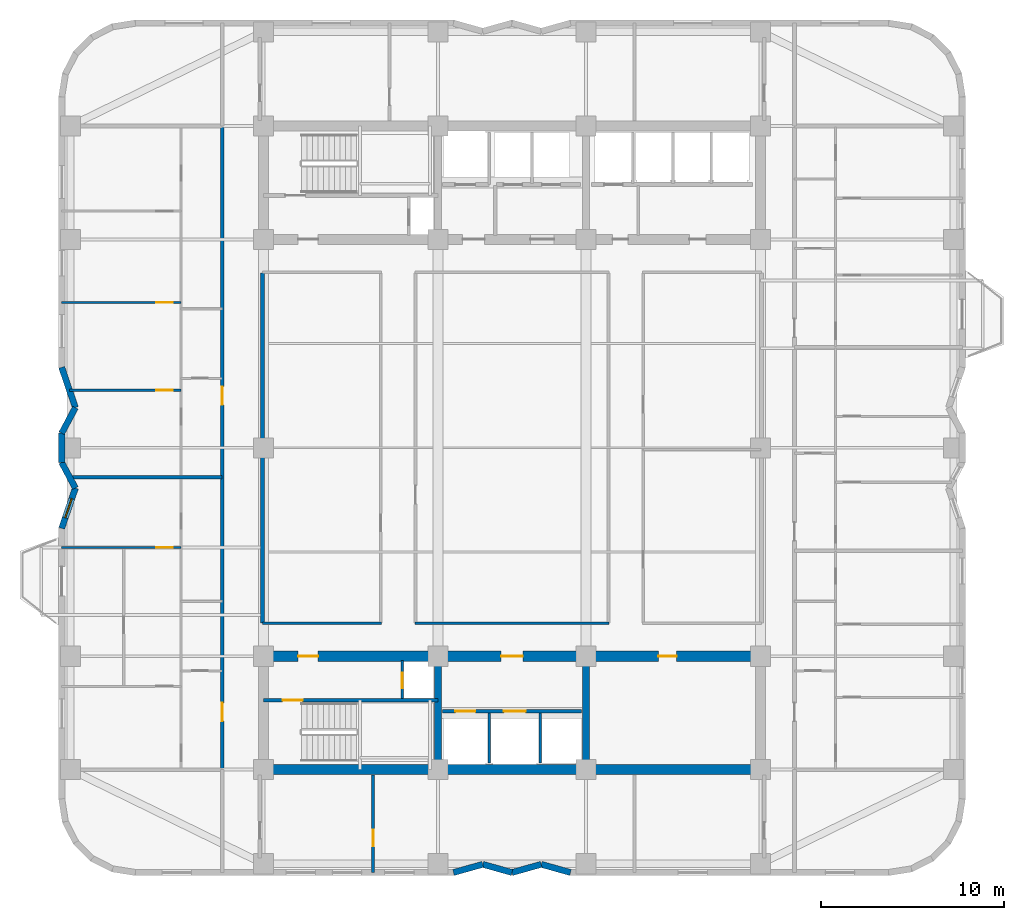
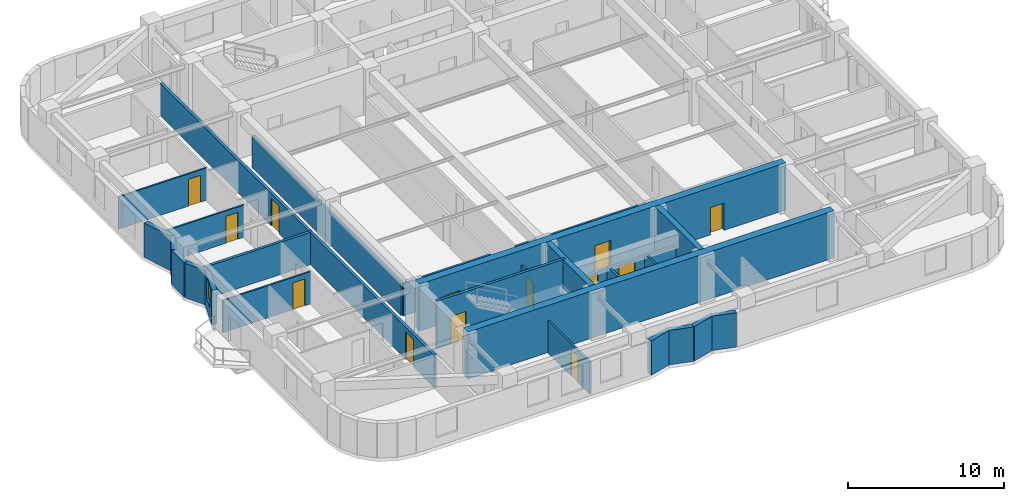
# One storey, part 3 of 9: 27 walls, 13 doors, 1 window, 14 openings.
"""IFC4 building model written with IfcOpenShell, lengths in metres."""

from ifc_helpers import new_model, si_unit, direction, frame, frame_2d, origin, place, context, subcontext, project, spatial, rectangle, extrude, material, layer, layer_set, type_object, element, fill, save


model = new_model("IFC4")

# Units and contexts
model_context = context("Model", 3, precision=1e-05, world=origin(), true_north=direction((0.0, 1.0)))
body_context = subcontext(model_context, "Body", "Model", "MODEL_VIEW")
ifc_project = project(units=[si_unit("LENGTHUNIT", "METRE"), si_unit("AREAUNIT", "SQUARE_METRE"), si_unit("VOLUMEUNIT", "CUBIC_METRE"), si_unit("PLANEANGLEUNIT", "RADIAN"), si_unit("MASSUNIT", "GRAM", prefix="KILO")], contexts=[model_context])

# Site, building, storey
site_placement = place(None, origin())
site = spatial("IfcSite", under=ifc_project, at=site_placement, CompositionType="ELEMENT")
building_placement = place(site_placement, origin())
building = spatial("IfcBuilding", under=site, at=building_placement, Name="Svetorya Sky Lyceum", CompositionType="ELEMENT")
storey_placement = place(building_placement, frame((0.0, 0.0, 125.300048828125)))
storey = spatial("IfcBuildingStorey", under=building, at=storey_placement, Name="L31", CompositionType="ELEMENT", Elevation=125.300048828125)

# Walls
ifc_material_1 = material(Name="Concrete C40/50", Category="concrete")
ifc_layer_1 = layer(ifc_material_1, 0.39990234375)
ifc_layer_set_1 = layer_set([ifc_layer_1], Name="Concrete C40/50")
wall_type_1 = type_object("IfcWallType", Name="WL-CORE-400", PredefinedType="SHEAR", material=ifc_layer_set_1)
for number, where, z_axis, x_axis, name in (
    (1, (35.14990234375, 10.875, 0.0), (0.0, 0.0, 1.0), (0.0, 1.0, 0.0), "L31 SC Internal Shear Web WEB1"),
    (2, (43.25, 10.875, 0.0), (0.0, 0.0, 1.0), (0.0, 1.0, 0.0), "L31 SC Internal Shear Web WEB2"),
):
    element("IfcWall", number, at=place(storey_placement, frame(where, z_axis=z_axis, x_axis=x_axis)), inside=storey, type_object=wall_type_1, Name=name, PredefinedType="SHEAR", context=body_context, shape_type="SweptSolid", body=[
        extrude(rectangle(XDim=5.64990234375, YDim=0.39990234375, at=frame_2d((2.824951171875, 0.0))), origin(), (0.0, 0.0, 1.0), 3.699951171875),
    ])
ifc_material_2 = material(Name="Concrete C60/75", Category="concrete")
ifc_layer_2 = layer(ifc_material_2, 0.550048828125)
ifc_layer_set_2 = layer_set([ifc_layer_2], Name="Concrete C60/75")
wall_type_2 = type_object("IfcWallType", Name="WL-CORE-550", PredefinedType="SHEAR", material=ifc_layer_set_2)
wall_1_placement = place(storey_placement, frame((52.800048828125, 10.60009765625, 0.0), z_axis=(0.0, 0.0, 1.0), x_axis=(-1.0, 0.0, 0.0)))
element("IfcWall", 3, at=wall_1_placement, inside=storey, type_object=wall_type_2, Name="L31 SC Outer Core Shear Wall", PredefinedType="SHEAR", context=body_context, shape_type="SweptSolid", body=[
    extrude(rectangle(XDim=27.199951171875, YDim=0.550048828125, at=frame_2d((13.60009765625, 0.0))), origin(), (0.0, 0.0, 1.0), 3.699951171875),
])

# Wall, openings, doors
wall_2_placement = place(storey_placement, frame((25.60009765625, 16.800048828125, 0.0), z_axis=(0.0, 0.0, 1.0), x_axis=(1.0, 0.0, 0.0)))
wall_2 = element("IfcWall", 4, at=wall_2_placement, inside=storey, type_object=wall_type_2, Name="L31 SC Inner Core Shear Wall", PredefinedType="SHEAR", context=body_context, shape_type="SweptSolid", body=[
    extrude(rectangle(XDim=27.199951171875, YDim=0.550048828125, at=frame_2d((13.60009765625, 0.0))), origin(), (0.0, 0.0, 1.0), 3.699951171875),
])
opening_1_placement = place(wall_2_placement, frame((1.89990234375, 0.0, 0.0)))
opening_1 = element("IfcOpeningElement", 5, at=opening_1_placement, cuts=wall_2, Name="Opening D-ST1", PredefinedType="OPENING", context=body_context, shape_type="SweptSolid", body=[
    extrude(rectangle(XDim=1.10009765625, YDim=2.14990234375, at=frame_2d((0.550048828125, 1.074951171875))), frame((0.0, 0.284912109375, 0.0), z_axis=(0.0, -1.0, 0.0), x_axis=(1.0, 0.0, 0.0)), (0.0, 0.0, 1.0), 0.570068359375),
])
opening_2_placement = place(wall_2_placement, frame((13.0, 0.0, 0.0)))
opening_2 = element("IfcOpeningElement", 6, at=opening_2_placement, cuts=wall_2, Name="Opening D-FL1", PredefinedType="OPENING", context=body_context, shape_type="SweptSolid", body=[
    extrude(rectangle(XDim=1.199951171875, YDim=2.14990234375, at=frame_2d((0.60009765625, 1.074951171875))), frame((0.0, 0.284912109375, 0.0), z_axis=(0.0, -1.0, 0.0), x_axis=(1.0, 0.0, 0.0)), (0.0, 0.0, 1.0), 0.570068359375),
])
opening_3_placement = place(wall_2_placement, frame((21.60009765625, 0.0, 0.0)))
opening_3 = element("IfcOpeningElement", 7, at=opening_3_placement, cuts=wall_2, Name="Opening D-RM2", PredefinedType="OPENING", context=body_context, shape_type="SweptSolid", body=[
    extrude(rectangle(XDim=1.0, YDim=2.14990234375, at=frame_2d((0.5, 1.074951171875))), frame((0.0, 0.284912109375, 0.0), z_axis=(0.0, -1.0, 0.0), x_axis=(1.0, 0.0, 0.0)), (0.0, 0.0, 1.0), 0.570068359375),
])
ifc_material_3 = material(Name="Powder-coated insulated galvanized stair fire door")
door_type_1 = type_object("IfcDoorType", Name="DR-FIRE-1100", OperationType="SINGLE_SWING_LEFT", PredefinedType="DOOR", material=ifc_material_3)
door_1_placement = place(opening_1_placement, origin())
door_1 = element("IfcDoor", 8, at=door_1_placement, inside=storey, type_object=door_type_1, Name="L31 South Stair Airlock Door", OperationType="SINGLE_SWING_RIGHT", OverallHeight=2.14990234375, OverallWidth=1.10009765625, PredefinedType="DOOR", context=body_context, shape_type="SweptSolid", body=[
    extrude(rectangle(XDim=1.10009765625, YDim=2.14990234375, at=frame_2d((0.550048828125, 1.074951171875))), frame((0.0, 0.02490234375, 0.0), z_axis=(0.0, -1.0, 0.0), x_axis=(1.0, 0.0, 0.0)), (0.0, 0.0, 1.0), 0.050048828125),
])
fill(opening_1, door_1)
ifc_material_4 = material(Name="Powder-coated insulated galvanized fire door")
door_type_2 = type_object("IfcDoorType", Name="DR-FIRE-1200", OperationType="SINGLE_SWING_LEFT", PredefinedType="DOOR", material=ifc_material_4)
door_2_placement = place(opening_2_placement, origin())
door_2 = element("IfcDoor", 9, at=door_2_placement, inside=storey, type_object=door_type_2, Name="L31 South Firefighting Lift Lobby Door", OperationType="SINGLE_SWING_LEFT", OverallHeight=2.14990234375, OverallWidth=1.199951171875, PredefinedType="DOOR", context=body_context, shape_type="SweptSolid", body=[
    extrude(rectangle(XDim=1.199951171875, YDim=2.14990234375, at=frame_2d((0.60009765625, 1.074951171875))), frame((0.0, 0.02490234375, 0.0), z_axis=(0.0, -1.0, 0.0), x_axis=(1.0, 0.0, 0.0)), (0.0, 0.0, 1.0), 0.050048828125),
])
fill(opening_2, door_2)
ifc_material_5 = material(Name="Solid-core oak acoustic room door")
door_type_3 = type_object("IfcDoorType", Name="DR-INT-1000", OperationType="SINGLE_SWING_LEFT", PredefinedType="DOOR", material=ifc_material_5)
door_3_placement = place(opening_3_placement, origin())
door_3 = element("IfcDoor", 10, at=door_3_placement, inside=storey, type_object=door_type_3, Name="L31 Trunk Store Door", OperationType="SINGLE_SWING_LEFT", OverallHeight=2.14990234375, OverallWidth=1.0, PredefinedType="DOOR", context=body_context, shape_type="SweptSolid", body=[
    extrude(rectangle(XDim=1.0, YDim=2.14990234375, at=frame_2d((0.5, 1.074951171875))), frame((0.0, 0.02490234375, 0.0), z_axis=(0.0, -1.0, 0.0), x_axis=(1.0, 0.0, 0.0)), (0.0, 0.0, 1.0), 0.050048828125),
])
fill(opening_3, door_3)

# Walls
ifc_material_6 = material(Name="Putilovo limestone rainscreen on autoclaved cellular masonry", Category="masonry")
ifc_layer_3 = layer(ifc_material_6, 0.340087890625)
ifc_layer_set_3 = layer_set([ifc_layer_3], Name="Putilovo limestone rainscreen on autoclaved cellular masonry")
wall_type_3 = type_object("IfcWallType", Name="WL-EXT-340", PredefinedType="SOLIDWALL", material=ifc_layer_set_3)
wall_3_placement = place(storey_placement, frame((36.0, 4.969970703125, 0.0), z_axis=(0.0, 0.0, 1.0), x_axis=(0.962662902433, 0.270703040766, 0.0)))
element("IfcWall", 11, at=wall_3_placement, inside=storey, type_object=wall_type_3, Name="L31 Limestone Exterior Wall 7M", PredefinedType="SOLIDWALL", context=body_context, shape_type="SweptSolid", body=[
    extrude(rectangle(XDim=1.662109375, YDim=0.340087890625, at=frame_2d((0.8310546875, 0.0))), origin(), (0.0, 0.0, 1.0), 2.699951171875),
])
wall_4_placement = place(storey_placement, frame((37.60009765625, 5.419921875, 0.0), z_axis=(0.0, 0.0, 1.0), x_axis=(0.962652136636, -0.270741322725, 0.0)))
element("IfcWall", 12, at=wall_4_placement, inside=storey, type_object=wall_type_3, Name="L31 Limestone Exterior Wall 8M", PredefinedType="SOLIDWALL", context=body_context, shape_type="SweptSolid", body=[
    extrude(rectangle(XDim=1.661865234375, YDim=0.340087890625, at=frame_2d((0.8310546875, 0.0))), origin(), (0.0, 0.0, 1.0), 2.699951171875),
])
wall_5_placement = place(storey_placement, frame((39.199951171875, 4.969970703125, 0.0), z_axis=(0.0, 0.0, 1.0), x_axis=(0.962662902433, 0.270703040766, 0.0)))
element("IfcWall", 13, at=wall_5_placement, inside=storey, type_object=wall_type_3, Name="L31 Limestone Exterior Wall 9M", PredefinedType="SOLIDWALL", context=body_context, shape_type="SweptSolid", body=[
    extrude(rectangle(XDim=1.662109375, YDim=0.340087890625, at=frame_2d((0.8310546875, 0.0))), origin(), (0.0, 0.0, 1.0), 2.699951171875),
])
wall_6_placement = place(storey_placement, frame((40.800048828125, 5.419921875, 0.0), z_axis=(0.0, 0.0, 1.0), x_axis=(0.962652136636, -0.270741322725, 0.0)))
element("IfcWall", 14, at=wall_6_placement, inside=storey, type_object=wall_type_3, Name="L31 Limestone Exterior Wall 10M", PredefinedType="SOLIDWALL", context=body_context, shape_type="SweptSolid", body=[
    extrude(rectangle(XDim=1.661865234375, YDim=0.340087890625, at=frame_2d((0.8310546875, 0.0))), origin(), (0.0, 0.0, 1.0), 2.699951171875),
])
wall_7_placement = place(storey_placement, frame((14.570068359375, 32.60009765625, 0.0), z_axis=(0.0, 0.0, 1.0), x_axis=(0.32264826586, -0.946518936175, 0.0)))
element("IfcWall", 15, at=wall_7_placement, inside=storey, type_object=wall_type_3, Name="L31 Limestone Exterior Wall 41M", PredefinedType="SOLIDWALL", context=body_context, shape_type="SweptSolid", body=[
    extrude(rectangle(XDim=2.324462890625, YDim=0.340087890625, at=frame_2d((1.162109375, 0.0))), origin(), (0.0, 0.0, 1.0), 2.699951171875),
])
wall_8_placement = place(storey_placement, frame((15.320068359375, 30.39990234375, 0.0), z_axis=(0.0, 0.0, 1.0), x_axis=(-0.472247007964, -0.881466257703, 0.0)))
element("IfcWall", 16, at=wall_8_placement, inside=storey, type_object=wall_type_3, Name="L31 Limestone Exterior Wall 42M", PredefinedType="SOLIDWALL", context=body_context, shape_type="SweptSolid", body=[
    extrude(rectangle(XDim=1.588134765625, YDim=0.340087890625, at=frame_2d((0.7939453125, 0.0))), origin(), (0.0, 0.0, 1.0), 2.699951171875),
])
wall_9_placement = place(storey_placement, frame((14.570068359375, 29.0, 0.0), z_axis=(0.0, 0.0, 1.0), x_axis=(0.0, -1.0, 0.0)))
element("IfcWall", 17, at=wall_9_placement, inside=storey, type_object=wall_type_3, Name="L31 Limestone Exterior Wall 43M", PredefinedType="SOLIDWALL", context=body_context, shape_type="SweptSolid", body=[
    extrude(rectangle(XDim=1.60009765625, YDim=0.340087890625, at=frame_2d((0.800048828125, 0.0))), origin(), (0.0, 0.0, 1.0), 2.699951171875),
])
wall_10_placement = place(storey_placement, frame((14.570068359375, 27.39990234375, 0.0), z_axis=(0.0, 0.0, 1.0), x_axis=(0.472247007964, -0.881466257703, 0.0)))
element("IfcWall", 18, at=wall_10_placement, inside=storey, type_object=wall_type_3, Name="L31 Limestone Exterior Wall 44M", PredefinedType="SOLIDWALL", context=body_context, shape_type="SweptSolid", body=[
    extrude(rectangle(XDim=1.588134765625, YDim=0.340087890625, at=frame_2d((0.7939453125, 0.0))), origin(), (0.0, 0.0, 1.0), 2.699951171875),
])

# Wall, opening, window
wall_11_placement = place(storey_placement, frame((15.320068359375, 26.0, 0.0), z_axis=(0.0, 0.0, 1.0), x_axis=(-0.322680343871, -0.946508000853, 0.0)))
wall_11 = element("IfcWall", 19, at=wall_11_placement, inside=storey, type_object=wall_type_3, Name="L31 Limestone Exterior Wall 45M", PredefinedType="SOLIDWALL", context=body_context, shape_type="SweptSolid", body=[
    extrude(rectangle(XDim=2.32421875, YDim=0.340087890625, at=frame_2d((1.162109375, 0.0))), origin(), (0.0, 0.0, 1.0), 2.699951171875),
])
opening_4_placement = place(wall_11_placement, frame((0.6123046875, 0.0, 0.889892578125)))
opening_4 = element("IfcOpeningElement", 20, at=opening_4_placement, cuts=wall_11, Name="Opening W-R3", PredefinedType="OPENING", context=body_context, shape_type="SweptSolid", body=[
    extrude(rectangle(XDim=1.10009765625, YDim=1.64990234375, at=frame_2d((0.550048828125, 0.824951171875))), frame((0.0, 0.179931640625, 0.0), z_axis=(0.0, -1.0, 0.0), x_axis=(1.0, 0.0, 0.0)), (0.0, 0.0, 1.0), 0.360107421875),
])
ifc_material_7 = material(Name="Thermally broken aluminium frame with triple low-E glazing", Category="aluminium")
window_type = type_object("IfcWindowType", Name="WN-RES-110", PartitioningType="SINGLE_PANEL", PredefinedType="WINDOW", material=ifc_material_7)
window_placement = place(opening_4_placement, origin())
window = element("IfcWindow", 21, at=window_placement, inside=storey, type_object=window_type, Name="L31 Facade Window W-R3.45M.1", OverallHeight=1.64990234375, OverallWidth=1.10009765625, PartitioningType="SINGLE_PANEL", PredefinedType="WINDOW", context=body_context, shape_type="SweptSolid", body=[
    extrude(rectangle(XDim=1.10009765625, YDim=1.64990234375, at=frame_2d((0.550048828125, 0.824951171875))), frame((0.0, 0.030029296875, 0.0), z_axis=(0.0, -1.0, 0.0), x_axis=(1.0, 0.0, 0.0)), (0.0, 0.0, 1.0), 0.06005859375),
])
fill(opening_4, window)

# Wall, opening, door
ifc_material_8 = material(Name="Twin-stud galvanized framing with double fireboard", Category="gypsum")
ifc_layer_4 = layer(ifc_material_8, 0.1201171875)
ifc_layer_set_4 = layer_set([ifc_layer_4], Name="Twin-stud galvanized framing with double fireboard")
wall_type_4 = type_object("IfcWallType", Name="WL-PART-120", PredefinedType="PARTITIONING", material=ifc_layer_set_4)
wall_12_placement = place(storey_placement, frame((14.570068359375, 22.75, 0.0), z_axis=(0.0, 0.0, 1.0), x_axis=(1.0, 0.0, 0.0)))
wall_12 = element("IfcWall", 22, at=wall_12_placement, inside=storey, type_object=wall_type_4, Name="L31 Interior Partition W1-WL2", PredefinedType="PARTITIONING", context=body_context, shape_type="SweptSolid", body=[
    extrude(rectangle(XDim=6.530029296875, YDim=0.1201171875, at=frame_2d((3.26513671875, 0.0))), origin(), (0.0, 0.0, 1.0), 2.530029296875),
])
opening_5_placement = place(wall_12_placement, frame((5.179931640625, 0.0, 0.0)))
opening_5 = element("IfcOpeningElement", 23, at=opening_5_placement, cuts=wall_12, Name="Opening D-RM1", PredefinedType="OPENING", context=body_context, shape_type="SweptSolid", body=[
    extrude(rectangle(XDim=0.89990234375, YDim=2.10009765625, at=frame_2d((0.449951171875, 1.050048828125))), frame((0.0, 0.070068359375, 0.0), z_axis=(0.0, -1.0, 0.0), x_axis=(1.0, 0.0, 0.0)), (0.0, 0.0, 1.0), 0.14013671875),
])
ifc_material_9 = material(Name="Lacquered birch veneer internal door")
door_type_4 = type_object("IfcDoorType", Name="DR-INT-900", OperationType="SINGLE_SWING_LEFT", PredefinedType="DOOR", material=ifc_material_9)
door_4_placement = place(opening_5_placement, origin())
door_4 = element("IfcDoor", 24, at=door_4_placement, inside=storey, type_object=door_type_4, Name="Apartment W1 Bedroom 2 Door", OperationType="SINGLE_SWING_RIGHT", OverallHeight=2.10009765625, OverallWidth=0.89990234375, PredefinedType="DOOR", context=body_context, shape_type="SweptSolid", body=[
    extrude(rectangle(XDim=0.89990234375, YDim=2.10009765625, at=frame_2d((0.449951171875, 1.050048828125))), frame((0.0, 0.02490234375, 0.0), z_axis=(0.0, -1.0, 0.0), x_axis=(1.0, 0.0, 0.0)), (0.0, 0.0, 1.0), 0.050048828125),
])
fill(opening_5, door_4)

wall_13_placement = place(storey_placement, frame((14.99609375, 31.35009765625, 0.0), z_axis=(0.0, 0.0, 1.0), x_axis=(1.0, 0.0, 0.0)))
wall_13 = element("IfcWall", 25, at=wall_13_placement, inside=storey, type_object=wall_type_4, Name="L31 Interior Partition W2-WL1", PredefinedType="PARTITIONING", context=body_context, shape_type="SweptSolid", body=[
    extrude(rectangle(XDim=6.10400390625, YDim=0.1201171875, at=frame_2d((3.052001953125, 0.0))), origin(), (0.0, 0.0, 1.0), 2.530029296875),
])
opening_6_placement = place(wall_13_placement, frame((4.75390625, 0.0, 0.0)))
opening_6 = element("IfcOpeningElement", 26, at=opening_6_placement, cuts=wall_13, Name="Opening D-RM1", PredefinedType="OPENING", context=body_context, shape_type="SweptSolid", body=[
    extrude(rectangle(XDim=0.89990234375, YDim=2.10009765625, at=frame_2d((0.449951171875, 1.050048828125))), frame((0.0, 0.070068359375, 0.0), z_axis=(0.0, -1.0, 0.0), x_axis=(1.0, 0.0, 0.0)), (0.0, 0.0, 1.0), 0.14013671875),
])
door_5_placement = place(opening_6_placement, origin())
door_5 = element("IfcDoor", 27, at=door_5_placement, inside=storey, type_object=door_type_4, Name="Apartment W2 Master Bedroom Door", OperationType="SINGLE_SWING_RIGHT", OverallHeight=2.10009765625, OverallWidth=0.89990234375, PredefinedType="DOOR", context=body_context, shape_type="SweptSolid", body=[
    extrude(rectangle(XDim=0.89990234375, YDim=2.10009765625, at=frame_2d((0.449951171875, 1.050048828125))), frame((0.0, 0.02490234375, 0.0), z_axis=(0.0, -1.0, 0.0), x_axis=(1.0, 0.0, 0.0)), (0.0, 0.0, 1.0), 0.050048828125),
])
fill(opening_6, door_5)

wall_14_placement = place(storey_placement, frame((14.570068359375, 36.14990234375, 0.0), z_axis=(0.0, 0.0, 1.0), x_axis=(1.0, 0.0, 0.0)))
wall_14 = element("IfcWall", 28, at=wall_14_placement, inside=storey, type_object=wall_type_4, Name="L31 Interior Partition W2-WL2", PredefinedType="PARTITIONING", context=body_context, shape_type="SweptSolid", body=[
    extrude(rectangle(XDim=6.530029296875, YDim=0.1201171875, at=frame_2d((3.26513671875, 0.0))), origin(), (0.0, 0.0, 1.0), 2.530029296875),
])
opening_7_placement = place(wall_14_placement, frame((5.179931640625, 0.0, 0.0)))
opening_7 = element("IfcOpeningElement", 29, at=opening_7_placement, cuts=wall_14, Name="Opening D-RM1", PredefinedType="OPENING", context=body_context, shape_type="SweptSolid", body=[
    extrude(rectangle(XDim=0.89990234375, YDim=2.10009765625, at=frame_2d((0.449951171875, 1.050048828125))), frame((0.0, 0.070068359375, 0.0), z_axis=(0.0, -1.0, 0.0), x_axis=(1.0, 0.0, 0.0)), (0.0, 0.0, 1.0), 0.14013671875),
])
door_6_placement = place(opening_7_placement, origin())
door_6 = element("IfcDoor", 30, at=door_6_placement, inside=storey, type_object=door_type_4, Name="Apartment W2 Bedroom 2 Door", OperationType="SINGLE_SWING_LEFT", OverallHeight=2.10009765625, OverallWidth=0.89990234375, PredefinedType="DOOR", context=body_context, shape_type="SweptSolid", body=[
    extrude(rectangle(XDim=0.89990234375, YDim=2.10009765625, at=frame_2d((0.449951171875, 1.050048828125))), frame((0.0, 0.02490234375, 0.0), z_axis=(0.0, -1.0, 0.0), x_axis=(1.0, 0.0, 0.0)), (0.0, 0.0, 1.0), 0.050048828125),
])
fill(opening_7, door_6)

ifc_material_10 = material(Name="Autoclaved cellular masonry blockwork with acoustic render", Category="masonry")
ifc_layer_5 = layer(ifc_material_10, 0.14990234375)
ifc_layer_set_5 = layer_set([ifc_layer_5], Name="Autoclaved cellular masonry blockwork with acoustic render")
wall_type_5 = type_object("IfcWallType", Name="WL-PART-150", PredefinedType="PARTITIONING", material=ifc_layer_set_5)
wall_15_placement = place(storey_placement, frame((33.199951171875, 14.5, 0.0), z_axis=(0.0, 0.0, 1.0), x_axis=(0.0, 1.0, 0.0)))
wall_15 = element("IfcWall", 31, at=wall_15_placement, inside=storey, type_object=wall_type_5, Name="L31 Interior Partition SC-AIRDIV", PredefinedType="PARTITIONING", context=body_context, shape_type="SweptSolid", body=[
    extrude(rectangle(XDim=2.080078125, YDim=0.14990234375, at=frame_2d((1.0400390625, 0.0))), origin(), (0.0, 0.0, 1.0), 2.530029296875),
])
opening_8_placement = place(wall_15_placement, frame((0.550048828125, 0.0, 0.0)))
opening_8 = element("IfcOpeningElement", 32, at=opening_8_placement, cuts=wall_15, Name="Opening D-SH1", PredefinedType="OPENING", context=body_context, shape_type="SweptSolid", body=[
    extrude(rectangle(XDim=0.85009765625, YDim=2.050048828125, at=frame_2d((0.425048828125, 1.02490234375))), frame((0.0, 0.0849609375, 0.0), z_axis=(0.0, -1.0, 0.0), x_axis=(1.0, 0.0, 0.0)), (0.0, 0.0, 1.0), 0.169921875),
])
ifc_material_11 = material(Name="Insulated galvanized riser inspection fire door")
door_type_5 = type_object("IfcDoorType", Name="DR-SHFT-850", OperationType="SINGLE_SWING_LEFT", PredefinedType="TRAPDOOR", material=ifc_material_11)
door_7_placement = place(opening_8_placement, origin())
door_7 = element("IfcDoor", 33, at=door_7_placement, inside=storey, type_object=door_type_5, Name="L31 South Riser Access Door", OperationType="SINGLE_SWING_RIGHT", OverallHeight=2.050048828125, OverallWidth=0.85009765625, PredefinedType="TRAPDOOR", context=body_context, shape_type="SweptSolid", body=[
    extrude(rectangle(XDim=0.85009765625, YDim=2.050048828125, at=frame_2d((0.425048828125, 1.02490234375))), frame((0.0, 0.02490234375, 0.0), z_axis=(0.0, -1.0, 0.0), x_axis=(1.0, 0.0, 0.0)), (0.0, 0.0, 1.0), 0.050048828125),
])
fill(opening_8, door_7)

# Walls
for number, where, z_axis, x_axis, name in (
    (34, (37.949951171875, 10.949951171875, 0.0), (0.0, 0.0, 1.0), (0.0, 1.0, 0.0), "L31 Interior Partition SC-SHD1"),
    (35, (40.75, 10.949951171875, 0.0), (0.0, 0.0, 1.0), (0.0, 1.0, 0.0), "L31 Interior Partition SC-SHD2"),
):
    element("IfcWall", number, at=place(storey_placement, frame(where, z_axis=z_axis, x_axis=x_axis)), inside=storey, type_object=wall_type_5, Name=name, PredefinedType="PARTITIONING", context=body_context, shape_type="SweptSolid", body=[
        extrude(rectangle(XDim=2.75, YDim=0.14990234375, at=frame_2d((1.375, 0.0))), origin(), (0.0, 0.0, 1.0), 2.530029296875),
    ])
wall_16_placement = place(storey_placement, frame((25.550048828125, 18.60009765625, 0.0), z_axis=(0.0, 0.0, 1.0), x_axis=(1.0, 0.0, 0.0)))
element("IfcWall", 36, at=wall_16_placement, inside=storey, type_object=wall_type_5, Name="L31 Interior Partition RL-CS-W", PredefinedType="PARTITIONING", context=body_context, shape_type="SweptSolid", body=[
    extrude(rectangle(XDim=6.5, YDim=0.14990234375, at=frame_2d((3.25, 0.0))), origin(), (0.0, 0.0, 1.0), 2.530029296875),
])
wall_17_placement = place(storey_placement, frame((33.89990234375, 18.60009765625, 0.0), z_axis=(0.0, 0.0, 1.0), x_axis=(1.0, 0.0, 0.0)))
element("IfcWall", 37, at=wall_17_placement, inside=storey, type_object=wall_type_5, Name="L31 Interior Partition RL-CS-M", PredefinedType="PARTITIONING", context=body_context, shape_type="SweptSolid", body=[
    extrude(rectangle(XDim=10.60009765625, YDim=0.14990234375, at=frame_2d((5.300048828125, 0.0))), origin(), (0.0, 0.0, 1.0), 2.530029296875),
])

# Wall, opening, door
wall_18_placement = place(storey_placement, frame((31.60009765625, 4.969970703125, 0.0), z_axis=(0.0, 0.0, 1.0), x_axis=(0.0, 1.0, 0.0)))
wall_18 = element("IfcWall", 38, at=wall_18_placement, inside=storey, type_object=wall_type_5, Name="L31 Interior Partition S-D1", PredefinedType="PARTITIONING", context=body_context, shape_type="SweptSolid", body=[
    extrude(rectangle(XDim=5.330078125, YDim=0.14990234375, at=frame_2d((2.6650390625, 0.0))), origin(), (0.0, 0.0, 1.0), 2.530029296875),
])
opening_9_placement = place(wall_18_placement, frame((1.449951171875, 0.0, 0.0)))
opening_9 = element("IfcOpeningElement", 39, at=opening_9_placement, cuts=wall_18, Name="Opening D-RM1", PredefinedType="OPENING", context=body_context, shape_type="SweptSolid", body=[
    extrude(rectangle(XDim=0.89990234375, YDim=2.10009765625, at=frame_2d((0.449951171875, 1.050048828125))), frame((0.0, 0.0849609375, 0.0), z_axis=(0.0, -1.0, 0.0), x_axis=(1.0, 0.0, 0.0)), (0.0, 0.0, 1.0), 0.169921875),
])
door_8_placement = place(opening_9_placement, origin())
door_8 = element("IfcDoor", 40, at=door_8_placement, inside=storey, type_object=door_type_4, Name="L31 South Store Door", OperationType="SINGLE_SWING_LEFT", OverallHeight=2.10009765625, OverallWidth=0.89990234375, PredefinedType="DOOR", context=body_context, shape_type="SweptSolid", body=[
    extrude(rectangle(XDim=0.89990234375, YDim=2.10009765625, at=frame_2d((0.449951171875, 1.050048828125))), frame((0.0, 0.02490234375, 0.0), z_axis=(0.0, -1.0, 0.0), x_axis=(1.0, 0.0, 0.0)), (0.0, 0.0, 1.0), 0.050048828125),
])
fill(opening_9, door_8)

# Wall, openings, doors
ifc_material_12 = material(Name="Autoclaved cellular masonry blockwork with gypsum plaster", Category="masonry")
ifc_layer_6 = layer(ifc_material_12, 0.199951171875)
ifc_layer_set_6 = layer_set([ifc_layer_6], Name="Autoclaved cellular masonry blockwork with gypsum plaster")
wall_type_6 = type_object("IfcWallType", Name="WL-PART-200", PredefinedType="PARTITIONING", material=ifc_layer_set_6)
wall_19_placement = place(storey_placement, frame((35.39990234375, 13.800048828125, 0.0), z_axis=(0.0, 0.0, 1.0), x_axis=(1.0, 0.0, 0.0)))
wall_19 = element("IfcWall", 41, at=wall_19_placement, inside=storey, type_object=wall_type_6, Name="L31 Interior Partition SC-FLW", PredefinedType="PARTITIONING", context=body_context, shape_type="SweptSolid", body=[
    extrude(rectangle(XDim=7.60009765625, YDim=0.199951171875, at=frame_2d((3.800048828125, 0.0))), origin(), (0.0, 0.0, 1.0), 2.300048828125),
])
opening_10_placement = place(wall_19_placement, frame((0.699951171875, 0.0, 0.0)))
opening_10 = element("IfcOpeningElement", 42, at=opening_10_placement, cuts=wall_19, Name="Opening LD-FL", PredefinedType="OPENING", context=body_context, shape_type="SweptSolid", body=[
    extrude(rectangle(XDim=1.10009765625, YDim=2.14990234375, at=frame_2d((0.550048828125, 1.074951171875))), frame((0.0, 0.10986328125, 0.0), z_axis=(0.0, -1.0, 0.0), x_axis=(1.0, 0.0, 0.0)), (0.0, 0.0, 1.0), 0.219970703125),
])
opening_11_placement = place(wall_19_placement, frame((3.35009765625, 0.0, 0.0)))
opening_11 = element("IfcOpeningElement", 43, at=opening_11_placement, cuts=wall_19, Name="Opening LD-SV", PredefinedType="OPENING", context=body_context, shape_type="SweptSolid", body=[
    extrude(rectangle(XDim=1.199951171875, YDim=2.14990234375, at=frame_2d((0.60009765625, 1.074951171875))), frame((0.0, 0.10986328125, 0.0), z_axis=(0.0, -1.0, 0.0), x_axis=(1.0, 0.0, 0.0)), (0.0, 0.0, 1.0), 0.219970703125),
])
ifc_material_13 = material(Name="Fire-rated stainless AISI 304 firefighting lift landing door")
door_type_6 = type_object("IfcDoorType", Name="DR-LIFT-1100", OperationType="SLIDING_TO_LEFT", PredefinedType="DOOR", material=ifc_material_13)
door_9_placement = place(opening_10_placement, origin())
door_9 = element("IfcDoor", 44, at=door_9_placement, inside=storey, type_object=door_type_6, Name="L31 Firefighting Lift FL2 Landing Door", OperationType="SLIDING_TO_LEFT", OverallHeight=2.14990234375, OverallWidth=1.10009765625, PredefinedType="DOOR", context=body_context, shape_type="SweptSolid", body=[
    extrude(rectangle(XDim=1.10009765625, YDim=2.14990234375, at=frame_2d((0.550048828125, 1.074951171875))), frame((0.0, 0.02490234375, 0.0), z_axis=(0.0, -1.0, 0.0), x_axis=(1.0, 0.0, 0.0)), (0.0, 0.0, 1.0), 0.050048828125),
])
fill(opening_10, door_9)
ifc_material_14 = material(Name="Brushed stainless AISI 304 telescopic lift landing door")
door_type_7 = type_object("IfcDoorType", Name="DR-LIFT-1200", OperationType="SLIDING_TO_LEFT", PredefinedType="DOOR", material=ifc_material_14)
door_10_placement = place(opening_11_placement, origin())
door_10 = element("IfcDoor", 45, at=door_10_placement, inside=storey, type_object=door_type_7, Name="L31 Service Lift SVL1 Landing Door", OperationType="SLIDING_TO_LEFT", OverallHeight=2.14990234375, OverallWidth=1.199951171875, PredefinedType="DOOR", context=body_context, shape_type="SweptSolid", body=[
    extrude(rectangle(XDim=1.199951171875, YDim=2.14990234375, at=frame_2d((0.60009765625, 1.074951171875))), frame((0.0, 0.02490234375, 0.0), z_axis=(0.0, -1.0, 0.0), x_axis=(1.0, 0.0, 0.0)), (0.0, 0.0, 1.0), 0.050048828125),
])
fill(opening_11, door_10)

# Walls
wall_20_placement = place(storey_placement, frame((25.550048828125, 18.6298828125, 0.0), z_axis=(0.0, 0.0, 1.0), x_axis=(0.0, 1.0, 0.0)))
element("IfcWall", 46, at=wall_20_placement, inside=storey, type_object=wall_type_6, Name="L31 Interior Partition W-CEN-SEP", PredefinedType="PARTITIONING", context=body_context, shape_type="SweptSolid", body=[
    extrude(rectangle(XDim=19.14013671875, YDim=0.199951171875, at=frame_2d((9.570068359375, 0.0))), origin(), (0.0, 0.0, 1.0), 2.530029296875),
])
wall_21_placement = place(storey_placement, frame((14.99853515625, 26.60009765625, 0.0), z_axis=(0.0, 0.0, 1.0), x_axis=(1.0, 0.0, 0.0)))
element("IfcWall", 47, at=wall_21_placement, inside=storey, type_object=wall_type_6, Name="L31 Interior Partition W-PARTY-1", PredefinedType="PARTITIONING", context=body_context, shape_type="SweptSolid", body=[
    extrude(rectangle(XDim=8.3515625, YDim=0.199951171875, at=frame_2d((4.17578125, 0.0))), origin(), (0.0, 0.0, 1.0), 2.530029296875),
])

# Wall, openings, doors
wall_22_placement = place(storey_placement, frame((23.35009765625, 10.60009765625, 0.0), z_axis=(0.0, 0.0, 1.0), x_axis=(0.0, 1.0, 0.0)))
wall_22 = element("IfcWall", 48, at=wall_22_placement, inside=storey, type_object=wall_type_6, Name="L31 Interior Partition W-CORRW", PredefinedType="PARTITIONING", context=body_context, shape_type="SweptSolid", body=[
    extrude(rectangle(XDim=35.199951171875, YDim=0.199951171875, at=frame_2d((17.60009765625, 0.0))), origin(), (0.0, 0.0, 1.0), 2.530029296875),
])
opening_12_placement = place(wall_22_placement, frame((2.64990234375, 0.0, 0.0)))
opening_12 = element("IfcOpeningElement", 49, at=opening_12_placement, cuts=wall_22, Name="Opening D-APT1", PredefinedType="OPENING", context=body_context, shape_type="SweptSolid", body=[
    extrude(rectangle(XDim=1.0, YDim=2.14990234375, at=frame_2d((0.5, 1.074951171875))), frame((0.0, 0.10986328125, 0.0), z_axis=(0.0, -1.0, 0.0), x_axis=(1.0, 0.0, 0.0)), (0.0, 0.0, 1.0), 0.219970703125),
])
opening_13_placement = place(wall_22_placement, frame((19.949951171875, 0.0, 0.0)))
opening_13 = element("IfcOpeningElement", 50, at=opening_13_placement, cuts=wall_22, Name="Opening D-APT1", PredefinedType="OPENING", context=body_context, shape_type="SweptSolid", body=[
    extrude(rectangle(XDim=1.0, YDim=2.14990234375, at=frame_2d((0.5, 1.074951171875))), frame((0.0, 0.10986328125, 0.0), z_axis=(0.0, -1.0, 0.0), x_axis=(1.0, 0.0, 0.0)), (0.0, 0.0, 1.0), 0.219970703125),
])
ifc_material_15 = material(Name="Insulated oak-veneered apartment entrance door")
door_type_8 = type_object("IfcDoorType", Name="DR-APT-1000", OperationType="SINGLE_SWING_LEFT", PredefinedType="DOOR", material=ifc_material_15)
door_11_placement = place(opening_12_placement, origin())
door_11 = element("IfcDoor", 51, at=door_11_placement, inside=storey, type_object=door_type_8, Name="L31 Apartment W1 Entrance Door", OperationType="SINGLE_SWING_LEFT", OverallHeight=2.14990234375, OverallWidth=1.0, PredefinedType="DOOR", context=body_context, shape_type="SweptSolid", body=[
    extrude(rectangle(XDim=1.0, YDim=2.14990234375, at=frame_2d((0.5, 1.074951171875))), frame((0.0, 0.02490234375, 0.0), z_axis=(0.0, -1.0, 0.0), x_axis=(1.0, 0.0, 0.0)), (0.0, 0.0, 1.0), 0.050048828125),
])
fill(opening_12, door_11)
door_12_placement = place(opening_13_placement, origin())
door_12 = element("IfcDoor", 52, at=door_12_placement, inside=storey, type_object=door_type_8, Name="L31 Apartment W2 Entrance Door", OperationType="SINGLE_SWING_RIGHT", OverallHeight=2.14990234375, OverallWidth=1.0, PredefinedType="DOOR", context=body_context, shape_type="SweptSolid", body=[
    extrude(rectangle(XDim=1.0, YDim=2.14990234375, at=frame_2d((0.5, 1.074951171875))), frame((0.0, 0.02490234375, 0.0), z_axis=(0.0, -1.0, 0.0), x_axis=(1.0, 0.0, 0.0)), (0.0, 0.0, 1.0), 0.050048828125),
])
fill(opening_13, door_12)

# Wall, opening, door
ifc_material_16 = material(Name="Concrete C50/60", Category="concrete")
ifc_layer_7 = layer(ifc_material_16, 0.199951171875)
ifc_layer_set_7 = layer_set([ifc_layer_7], Name="Concrete C50/60")
wall_type_7 = type_object("IfcWallType", Name="WL-SHW-200", PredefinedType="SHEAR", material=ifc_layer_set_7)
wall_23_placement = place(storey_placement, frame((25.60009765625, 14.39990234375, 0.0), z_axis=(0.0, 0.0, 1.0), x_axis=(1.0, 0.0, 0.0)))
wall_23 = element("IfcWall", 53, at=wall_23_placement, inside=storey, type_object=wall_type_7, Name="L31 Structural Stair Shaft Wall SC-STW", PredefinedType="SHEAR", context=body_context, shape_type="SweptSolid", body=[
    extrude(rectangle(XDim=9.5498046875, YDim=0.199951171875, at=frame_2d((4.77490234375, 0.0))), origin(), (0.0, 0.0, 1.0), 3.699951171875),
])
opening_14_placement = place(wall_23_placement, frame((1.050048828125, 0.0, 0.0)))
opening_14 = element("IfcOpeningElement", 54, at=opening_14_placement, cuts=wall_23, Name="Opening D-ST1", PredefinedType="OPENING", context=body_context, shape_type="SweptSolid", body=[
    extrude(rectangle(XDim=1.10009765625, YDim=2.14990234375, at=frame_2d((0.550048828125, 1.074951171875))), frame((0.0, 0.10986328125, 0.0), z_axis=(0.0, -1.0, 0.0), x_axis=(1.0, 0.0, 0.0)), (0.0, 0.0, 1.0), 0.219970703125),
])
door_13_placement = place(opening_14_placement, origin())
door_13 = element("IfcDoor", 55, at=door_13_placement, inside=storey, type_object=door_type_1, Name="L31 Stair ST-S Vestibule Fire Door", OperationType="SINGLE_SWING_LEFT", OverallHeight=2.14990234375, OverallWidth=1.10009765625, PredefinedType="DOOR", context=body_context, shape_type="SweptSolid", body=[
    extrude(rectangle(XDim=1.10009765625, YDim=2.14990234375, at=frame_2d((0.550048828125, 1.074951171875))), frame((0.0, 0.02490234375, 0.0), z_axis=(0.0, -1.0, 0.0), x_axis=(1.0, 0.0, 0.0)), (0.0, 0.0, 1.0), 0.050048828125),
])
fill(opening_14, door_13)

save(model, "model.ifc")
